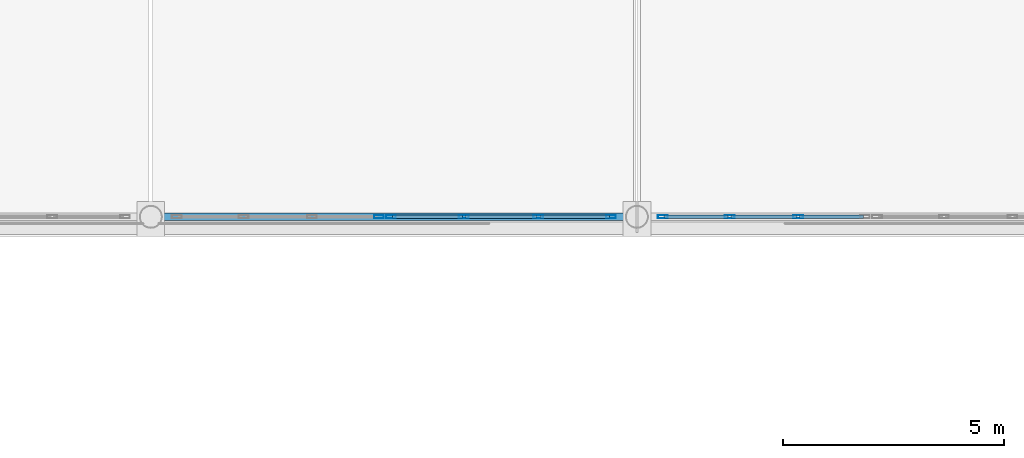
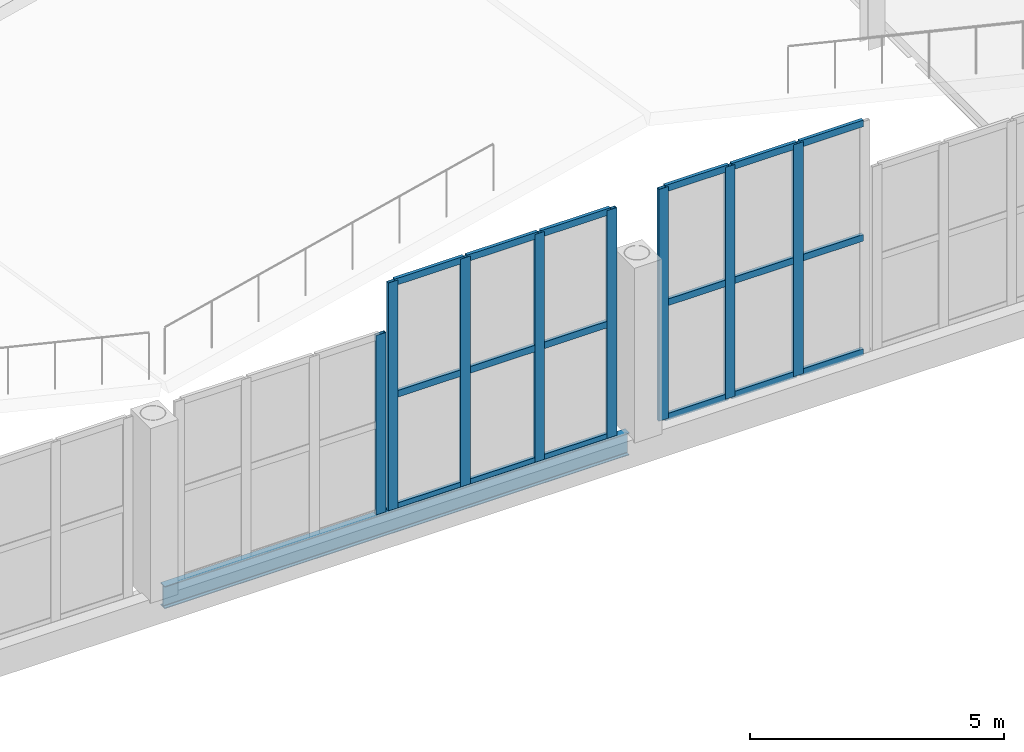
# One storey, part 37 of 120: 26 members, 1 beam, 3 elements without a shape of their own.
"""IFC4 building model written with IfcOpenShell, lengths in metres."""

from ifc_helpers import new_model, si_unit, direction, frame, origin, origin_2d, place, context, subcontext, project, spatial, hollow_rectangle, i_section, extrude, material, material_profile, profile_set, type_object, element, aggregate, save


model = new_model("IFC4")

# Units and contexts
model_context = context("Model", 3, precision=1e-05, world=origin(), true_north=direction((0.0, 1.0)))
body_context = subcontext(model_context, "Body", "Model", "MODEL_VIEW")
ifc_project = project(units=[si_unit("LENGTHUNIT", "METRE"), si_unit("AREAUNIT", "SQUARE_METRE"), si_unit("VOLUMEUNIT", "CUBIC_METRE"), si_unit("PLANEANGLEUNIT", "RADIAN"), si_unit("MASSUNIT", "GRAM", prefix="KILO")], contexts=[model_context])

# Site, building, storey
site_placement = place(None, origin())
site = spatial("IfcSite", under=ifc_project, at=site_placement, CompositionType="ELEMENT")
building_placement = place(site_placement, origin())
building = spatial("IfcBuilding", under=site, at=building_placement, Name="Caurita Quay Ferry Terminal", CompositionType="ELEMENT")
storey_placement = place(building_placement, frame((0.0, 0.0, 9.89990234375)))
storey = spatial("IfcBuildingStorey", under=building, at=storey_placement, Name="L02", CompositionType="ELEMENT", Elevation=9.89990234375)

# Beam
ifc_material_1 = material(Name="Structural steel ASTM A992 Gr. 50", Category="steel")
ifc_material_profile_1 = material_profile(ifc_material_1, i_section(OverallWidth=0.16650390625, OverallDepth=0.535888671875, WebThickness=0.01025390625, FlangeThickness=0.0166015625, FilletRadius=0.013916015625, at=origin_2d()), Name="W21X57")
ifc_profile_set_1 = profile_set([ifc_material_profile_1], Name="Structural steel ASTM A992 Gr. 50")
beam_type = type_object("IfcBeamType", Name="BM-SP-W21B", PredefinedType="SPANDREL", material=ifc_profile_set_1)
beam_placement = place(storey_placement, frame((110.419921875, 34.60009765625, -0.267822265625), z_axis=(1.0, 0.0, 0.0), x_axis=(0.0, 1.0, 0.0)))
element("IfcBeam", 1, at=beam_placement, inside=storey, type_object=beam_type, Name="V2 Waterside Clerestory Sill Spandrel 110", PredefinedType="SPANDREL", context=body_context, shape_type="SweptSolid", body=[
    extrude(i_section(OverallWidth=0.16650390625, OverallDepth=0.535888671875, WebThickness=0.01025390625, FlangeThickness=0.0166015625, FilletRadius=0.013916015625, at=origin_2d()), origin(), (0.0, 0.0, 1.0), 10.56005859375),
])

# Curtain wall, member
ifc_material_2 = material(Name="Laminated solar-control insulated glass", Category="glass")
curtain_wall_type_1 = type_object("IfcCurtainWallType", Name="CW-SYS-01", PredefinedType="NOTDEFINED", material=ifc_material_2)
curtain_wall_1_placement = place(storey_placement, origin())
curtain_wall_1 = element("IfcCurtainWall", 2, at=curtain_wall_1_placement, inside=storey, type_object=curtain_wall_type_1, Name="Folded Roof Clerestory FB-06-S1", PredefinedType="NOTDEFINED")
ifc_material_3 = material(Name="Anodized aluminium 6063-T6", Category="aluminium")
ifc_material_profile_2 = material_profile(ifc_material_3, hollow_rectangle(XDim=0.074951171875, YDim=0.219970703125, WallThickness=0.00390625, at=origin_2d()), Name="ALU-MUL-75X220")
ifc_profile_set_2 = profile_set([ifc_material_profile_2], Name="Anodized aluminium 6063-T6")
member_type_1 = type_object("IfcMemberType", Name="CW-MUL-220", PredefinedType="MULLION", material=ifc_profile_set_2)
member_1_placement = place(storey_placement, frame((115.362548828125, 34.60009765625, 0.0), z_axis=(0.0, 0.0, 1.0), x_axis=(0.0, 1.0, 0.0)))
member_1 = element("IfcMember", 3, at=member_1_placement, type_object=member_type_1, Name="CW-CLR-041 Mullion 4", PredefinedType="MULLION", context=body_context, shape_type="SweptSolid", body=[
    extrude(hollow_rectangle(XDim=0.074951171875, YDim=0.219970703125, WallThickness=0.00390625, at=origin_2d()), origin(), (0.0, 0.0, 1.0), 4.31298828125),
])
aggregate(curtain_wall_1, [member_1])

# Curtain wall, members
curtain_wall_type_2 = type_object("IfcCurtainWallType", Name="CW-SYS-02", PredefinedType="NOTDEFINED", material=ifc_material_2)
curtain_wall_2_placement = place(storey_placement, origin())
curtain_wall_2 = element("IfcCurtainWall", 4, at=curtain_wall_2_placement, inside=storey, type_object=curtain_wall_type_2, Name="Folded Roof Clerestory FB-06-S2", PredefinedType="NOTDEFINED")
member_2_placement = place(storey_placement, frame((115.637451171875, 34.60009765625, 0.0), z_axis=(0.0, 0.0, 1.0), x_axis=(0.0, 1.0, 0.0)))
member_2 = element("IfcMember", 5, at=member_2_placement, type_object=member_type_1, Name="CW-CLR-042 Mullion 1", PredefinedType="MULLION", context=body_context, shape_type="SweptSolid", body=[
    extrude(hollow_rectangle(XDim=0.074951171875, YDim=0.219970703125, WallThickness=0.00390625, at=origin_2d()), origin(), (0.0, 0.0, 1.0), 5.47705078125),
])
member_3_placement = place(storey_placement, frame((117.283203125, 34.60009765625, 0.0), z_axis=(0.0, 0.0, 1.0), x_axis=(0.0, 1.0, 0.0)))
member_3 = element("IfcMember", 6, at=member_3_placement, type_object=member_type_1, Name="CW-CLR-042 Mullion 2", PredefinedType="MULLION", context=body_context, shape_type="SweptSolid", body=[
    extrude(hollow_rectangle(XDim=0.074951171875, YDim=0.219970703125, WallThickness=0.00390625, at=origin_2d()), origin(), (0.0, 0.0, 1.0), 5.47705078125),
])
member_4_placement = place(storey_placement, frame((118.966796875, 34.60009765625, 0.0), z_axis=(0.0, 0.0, 1.0), x_axis=(0.0, 1.0, 0.0)))
member_4 = element("IfcMember", 7, at=member_4_placement, type_object=member_type_1, Name="CW-CLR-042 Mullion 3", PredefinedType="MULLION", context=body_context, shape_type="SweptSolid", body=[
    extrude(hollow_rectangle(XDim=0.074951171875, YDim=0.219970703125, WallThickness=0.00390625, at=origin_2d()), origin(), (0.0, 0.0, 1.0), 5.47705078125),
])
member_5_placement = place(storey_placement, frame((120.612548828125, 34.60009765625, 0.0), z_axis=(0.0, 0.0, 1.0), x_axis=(0.0, 1.0, 0.0)))
member_5 = element("IfcMember", 8, at=member_5_placement, type_object=member_type_1, Name="CW-CLR-042 Mullion 4", PredefinedType="MULLION", context=body_context, shape_type="SweptSolid", body=[
    extrude(hollow_rectangle(XDim=0.074951171875, YDim=0.219970703125, WallThickness=0.00390625, at=origin_2d()), origin(), (0.0, 0.0, 1.0), 5.47705078125),
])

curtain_wall_type_3 = type_object("IfcCurtainWallType", Name="CW-SYS-03", PredefinedType="NOTDEFINED", material=ifc_material_2)
curtain_wall_3_placement = place(storey_placement, origin())
curtain_wall_3 = element("IfcCurtainWall", 9, at=curtain_wall_3_placement, inside=storey, type_object=curtain_wall_type_3, Name="Folded Roof Clerestory FB-06-S3", PredefinedType="NOTDEFINED")
member_6_placement = place(storey_placement, frame((121.78759765625, 34.60009765625, 0.0), z_axis=(0.0, 0.0, 1.0), x_axis=(0.0, 1.0, 0.0)))
member_6 = element("IfcMember", 10, at=member_6_placement, type_object=member_type_1, Name="CW-CLR-043 Mullion 1", PredefinedType="MULLION", context=body_context, shape_type="SweptSolid", body=[
    extrude(hollow_rectangle(XDim=0.074951171875, YDim=0.219970703125, WallThickness=0.00390625, at=origin_2d()), origin(), (0.0, 0.0, 1.0), 5.572998046875),
])
member_7_placement = place(storey_placement, frame((123.300048828125, 34.60009765625, 0.0), z_axis=(0.0, 0.0, 1.0), x_axis=(0.0, 1.0, 0.0)))
member_7 = element("IfcMember", 11, at=member_7_placement, type_object=member_type_1, Name="CW-CLR-043 Mullion 2", PredefinedType="MULLION", context=body_context, shape_type="SweptSolid", body=[
    extrude(hollow_rectangle(XDim=0.074951171875, YDim=0.219970703125, WallThickness=0.00390625, at=origin_2d()), origin(), (0.0, 0.0, 1.0), 5.572998046875),
])
member_8_placement = place(storey_placement, frame((124.85009765625, 34.60009765625, 0.0), z_axis=(0.0, 0.0, 1.0), x_axis=(0.0, 1.0, 0.0)))
member_8 = element("IfcMember", 12, at=member_8_placement, type_object=member_type_1, Name="CW-CLR-043 Mullion 3", PredefinedType="MULLION", context=body_context, shape_type="SweptSolid", body=[
    extrude(hollow_rectangle(XDim=0.074951171875, YDim=0.219970703125, WallThickness=0.00390625, at=origin_2d()), origin(), (0.0, 0.0, 1.0), 5.572998046875),
])

# Member
ifc_material_profile_3 = material_profile(ifc_material_3, hollow_rectangle(XDim=0.074951171875, YDim=0.159912109375, WallThickness=0.00390625, at=origin_2d()), Name="ALU-TRN-75X160")
ifc_profile_set_3 = profile_set([ifc_material_profile_3], Name="Anodized aluminium 6063-T6")
member_type_2 = type_object("IfcMemberType", Name="CW-TRN-160", PredefinedType="USERDEFINED", material=ifc_profile_set_3)
member_9_placement = place(storey_placement, frame((115.673095703125, 34.60009765625, 0.03759765625), z_axis=(1.0, 0.0, 0.0), x_axis=(0.0, 1.0, 0.0)))
member_9 = element("IfcMember", 13, at=member_9_placement, type_object=member_type_2, Name="CW-CLR-042 Transom 1", ObjectType="TRANSOM", PredefinedType="USERDEFINED", context=body_context, shape_type="SweptSolid", body=[
    extrude(hollow_rectangle(XDim=0.074951171875, YDim=0.159912109375, WallThickness=0.00390625, at=origin_2d()), origin(), (0.0, 0.0, 1.0), 1.57470703125),
])

member_10_placement = place(storey_placement, frame((115.673095703125, 34.60009765625, 2.738525390625), z_axis=(1.0, 0.0, 0.0), x_axis=(0.0, 1.0, 0.0)))
member_10 = element("IfcMember", 14, at=member_10_placement, type_object=member_type_2, Name="CW-CLR-042 Transom 2", ObjectType="TRANSOM", PredefinedType="USERDEFINED", context=body_context, shape_type="SweptSolid", body=[
    extrude(hollow_rectangle(XDim=0.074951171875, YDim=0.159912109375, WallThickness=0.00390625, at=origin_2d()), origin(), (0.0, 0.0, 1.0), 1.57470703125),
])

member_11_placement = place(storey_placement, frame((115.673095703125, 34.60009765625, 5.439697265625), z_axis=(1.0, 0.0, 0.0), x_axis=(0.0, 1.0, 0.0)))
member_11 = element("IfcMember", 15, at=member_11_placement, type_object=member_type_2, Name="CW-CLR-042 Transom 3", ObjectType="TRANSOM", PredefinedType="USERDEFINED", context=body_context, shape_type="SweptSolid", body=[
    extrude(hollow_rectangle(XDim=0.074951171875, YDim=0.159912109375, WallThickness=0.00390625, at=origin_2d()), origin(), (0.0, 0.0, 1.0), 1.57470703125),
])

member_12_placement = place(storey_placement, frame((117.31884765625, 34.60009765625, 0.03759765625), z_axis=(1.0, 0.0, 0.0), x_axis=(0.0, 1.0, 0.0)))
member_12 = element("IfcMember", 16, at=member_12_placement, type_object=member_type_2, Name="CW-CLR-042 Transom 4", ObjectType="TRANSOM", PredefinedType="USERDEFINED", context=body_context, shape_type="SweptSolid", body=[
    extrude(hollow_rectangle(XDim=0.074951171875, YDim=0.159912109375, WallThickness=0.00390625, at=origin_2d()), origin(), (0.0, 0.0, 1.0), 1.6123046875),
])

member_13_placement = place(storey_placement, frame((117.31884765625, 34.60009765625, 2.738525390625), z_axis=(1.0, 0.0, 0.0), x_axis=(0.0, 1.0, 0.0)))
member_13 = element("IfcMember", 17, at=member_13_placement, type_object=member_type_2, Name="CW-CLR-042 Transom 5", ObjectType="TRANSOM", PredefinedType="USERDEFINED", context=body_context, shape_type="SweptSolid", body=[
    extrude(hollow_rectangle(XDim=0.074951171875, YDim=0.159912109375, WallThickness=0.00390625, at=origin_2d()), origin(), (0.0, 0.0, 1.0), 1.6123046875),
])

member_14_placement = place(storey_placement, frame((117.31884765625, 34.60009765625, 5.439697265625), z_axis=(1.0, 0.0, 0.0), x_axis=(0.0, 1.0, 0.0)))
member_14 = element("IfcMember", 18, at=member_14_placement, type_object=member_type_2, Name="CW-CLR-042 Transom 6", ObjectType="TRANSOM", PredefinedType="USERDEFINED", context=body_context, shape_type="SweptSolid", body=[
    extrude(hollow_rectangle(XDim=0.074951171875, YDim=0.159912109375, WallThickness=0.00390625, at=origin_2d()), origin(), (0.0, 0.0, 1.0), 1.6123046875),
])

member_15_placement = place(storey_placement, frame((119.002197265625, 34.60009765625, 0.03759765625), z_axis=(1.0, 0.0, 0.0), x_axis=(0.0, 1.0, 0.0)))
member_15 = element("IfcMember", 19, at=member_15_placement, type_object=member_type_2, Name="CW-CLR-042 Transom 7", ObjectType="TRANSOM", PredefinedType="USERDEFINED", context=body_context, shape_type="SweptSolid", body=[
    extrude(hollow_rectangle(XDim=0.074951171875, YDim=0.159912109375, WallThickness=0.00390625, at=origin_2d()), origin(), (0.0, 0.0, 1.0), 1.57470703125),
])

member_16_placement = place(storey_placement, frame((119.002197265625, 34.60009765625, 2.738525390625), z_axis=(1.0, 0.0, 0.0), x_axis=(0.0, 1.0, 0.0)))
member_16 = element("IfcMember", 20, at=member_16_placement, type_object=member_type_2, Name="CW-CLR-042 Transom 8", ObjectType="TRANSOM", PredefinedType="USERDEFINED", context=body_context, shape_type="SweptSolid", body=[
    extrude(hollow_rectangle(XDim=0.074951171875, YDim=0.159912109375, WallThickness=0.00390625, at=origin_2d()), origin(), (0.0, 0.0, 1.0), 1.57470703125),
])

member_17_placement = place(storey_placement, frame((119.002197265625, 34.60009765625, 5.439697265625), z_axis=(1.0, 0.0, 0.0), x_axis=(0.0, 1.0, 0.0)))
member_17 = element("IfcMember", 21, at=member_17_placement, type_object=member_type_2, Name="CW-CLR-042 Transom 9", ObjectType="TRANSOM", PredefinedType="USERDEFINED", context=body_context, shape_type="SweptSolid", body=[
    extrude(hollow_rectangle(XDim=0.074951171875, YDim=0.159912109375, WallThickness=0.00390625, at=origin_2d()), origin(), (0.0, 0.0, 1.0), 1.57470703125),
])

aggregate(curtain_wall_2, [member_2, member_3, member_4, member_5, member_9, member_10, member_11, member_12, member_13, member_14, member_15, member_16, member_17])

member_18_placement = place(storey_placement, frame((121.822998046875, 34.60009765625, 0.03759765625), z_axis=(1.0, 0.0, 0.0), x_axis=(0.0, 1.0, 0.0)))
member_18 = element("IfcMember", 22, at=member_18_placement, type_object=member_type_2, Name="CW-CLR-043 Transom 1", ObjectType="TRANSOM", PredefinedType="USERDEFINED", context=body_context, shape_type="SweptSolid", body=[
    extrude(hollow_rectangle(XDim=0.074951171875, YDim=0.159912109375, WallThickness=0.00390625, at=origin_2d()), origin(), (0.0, 0.0, 1.0), 1.44140625),
])

member_19_placement = place(storey_placement, frame((121.822998046875, 34.60009765625, 2.78662109375), z_axis=(1.0, 0.0, 0.0), x_axis=(0.0, 1.0, 0.0)))
member_19 = element("IfcMember", 23, at=member_19_placement, type_object=member_type_2, Name="CW-CLR-043 Transom 2", ObjectType="TRANSOM", PredefinedType="USERDEFINED", context=body_context, shape_type="SweptSolid", body=[
    extrude(hollow_rectangle(XDim=0.074951171875, YDim=0.159912109375, WallThickness=0.00390625, at=origin_2d()), origin(), (0.0, 0.0, 1.0), 1.44140625),
])

member_20_placement = place(storey_placement, frame((121.822998046875, 34.60009765625, 5.53564453125), z_axis=(1.0, 0.0, 0.0), x_axis=(0.0, 1.0, 0.0)))
member_20 = element("IfcMember", 24, at=member_20_placement, type_object=member_type_2, Name="CW-CLR-043 Transom 3", ObjectType="TRANSOM", PredefinedType="USERDEFINED", context=body_context, shape_type="SweptSolid", body=[
    extrude(hollow_rectangle(XDim=0.074951171875, YDim=0.159912109375, WallThickness=0.00390625, at=origin_2d()), origin(), (0.0, 0.0, 1.0), 1.44140625),
])

member_21_placement = place(storey_placement, frame((123.33544921875, 34.60009765625, 0.03759765625), z_axis=(1.0, 0.0, 0.0), x_axis=(0.0, 1.0, 0.0)))
member_21 = element("IfcMember", 25, at=member_21_placement, type_object=member_type_2, Name="CW-CLR-043 Transom 4", ObjectType="TRANSOM", PredefinedType="USERDEFINED", context=body_context, shape_type="SweptSolid", body=[
    extrude(hollow_rectangle(XDim=0.074951171875, YDim=0.159912109375, WallThickness=0.00390625, at=origin_2d()), origin(), (0.0, 0.0, 1.0), 1.47900390625),
])

member_22_placement = place(storey_placement, frame((123.33544921875, 34.60009765625, 2.78662109375), z_axis=(1.0, 0.0, 0.0), x_axis=(0.0, 1.0, 0.0)))
member_22 = element("IfcMember", 26, at=member_22_placement, type_object=member_type_2, Name="CW-CLR-043 Transom 5", ObjectType="TRANSOM", PredefinedType="USERDEFINED", context=body_context, shape_type="SweptSolid", body=[
    extrude(hollow_rectangle(XDim=0.074951171875, YDim=0.159912109375, WallThickness=0.00390625, at=origin_2d()), origin(), (0.0, 0.0, 1.0), 1.47900390625),
])

member_23_placement = place(storey_placement, frame((123.33544921875, 34.60009765625, 5.53564453125), z_axis=(1.0, 0.0, 0.0), x_axis=(0.0, 1.0, 0.0)))
member_23 = element("IfcMember", 27, at=member_23_placement, type_object=member_type_2, Name="CW-CLR-043 Transom 6", ObjectType="TRANSOM", PredefinedType="USERDEFINED", context=body_context, shape_type="SweptSolid", body=[
    extrude(hollow_rectangle(XDim=0.074951171875, YDim=0.159912109375, WallThickness=0.00390625, at=origin_2d()), origin(), (0.0, 0.0, 1.0), 1.47900390625),
])

member_24_placement = place(storey_placement, frame((124.885498046875, 34.60009765625, 0.03759765625), z_axis=(1.0, 0.0, 0.0), x_axis=(0.0, 1.0, 0.0)))
member_24 = element("IfcMember", 28, at=member_24_placement, type_object=member_type_2, Name="CW-CLR-043 Transom 7", ObjectType="TRANSOM", PredefinedType="USERDEFINED", context=body_context, shape_type="SweptSolid", body=[
    extrude(hollow_rectangle(XDim=0.074951171875, YDim=0.159912109375, WallThickness=0.00390625, at=origin_2d()), origin(), (0.0, 0.0, 1.0), 1.44140625),
])

member_25_placement = place(storey_placement, frame((124.885498046875, 34.60009765625, 2.78662109375), z_axis=(1.0, 0.0, 0.0), x_axis=(0.0, 1.0, 0.0)))
member_25 = element("IfcMember", 29, at=member_25_placement, type_object=member_type_2, Name="CW-CLR-043 Transom 8", ObjectType="TRANSOM", PredefinedType="USERDEFINED", context=body_context, shape_type="SweptSolid", body=[
    extrude(hollow_rectangle(XDim=0.074951171875, YDim=0.159912109375, WallThickness=0.00390625, at=origin_2d()), origin(), (0.0, 0.0, 1.0), 1.44140625),
])

member_26_placement = place(storey_placement, frame((124.885498046875, 34.60009765625, 5.53564453125), z_axis=(1.0, 0.0, 0.0), x_axis=(0.0, 1.0, 0.0)))
member_26 = element("IfcMember", 30, at=member_26_placement, type_object=member_type_2, Name="CW-CLR-043 Transom 9", ObjectType="TRANSOM", PredefinedType="USERDEFINED", context=body_context, shape_type="SweptSolid", body=[
    extrude(hollow_rectangle(XDim=0.074951171875, YDim=0.159912109375, WallThickness=0.00390625, at=origin_2d()), origin(), (0.0, 0.0, 1.0), 1.44140625),
])

aggregate(curtain_wall_3, [member_6, member_7, member_8, member_18, member_19, member_20, member_21, member_22, member_23, member_24, member_25, member_26])

save(model, "model.ifc")
